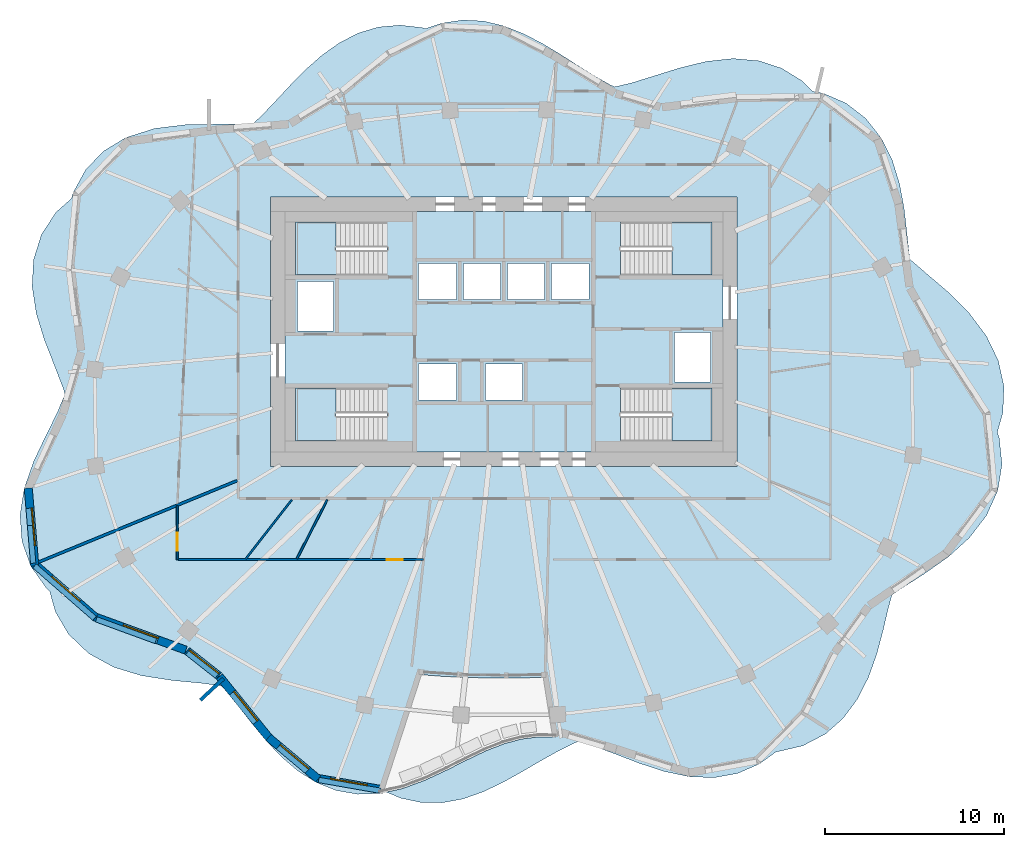
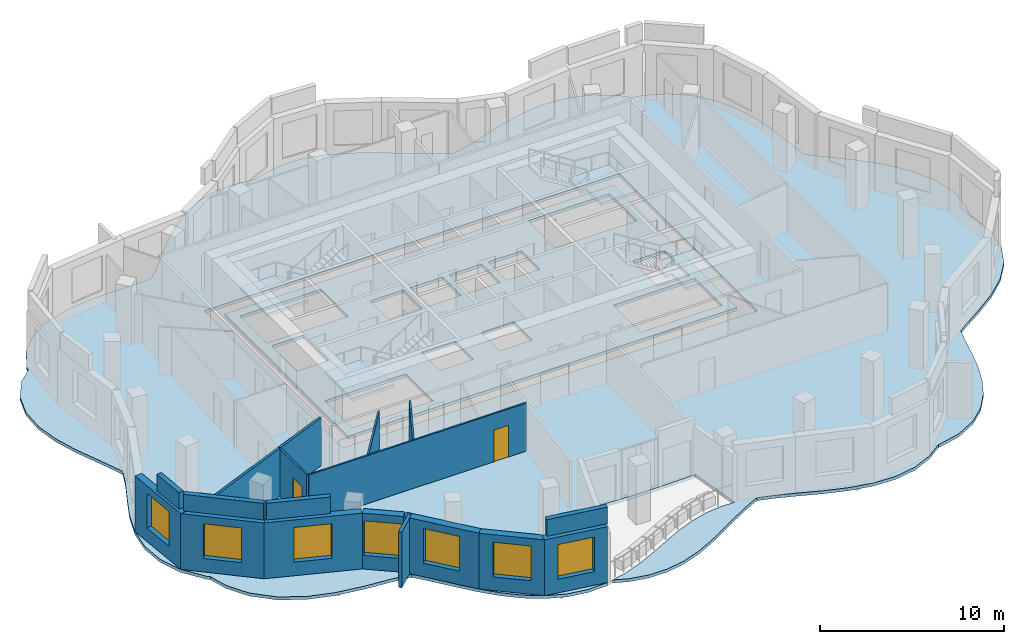
# One storey, part 4 of 12: 17 walls, 7 windows, 6 slabs, 2 doors, 9 openings, 4 elements without a shape of their own.
"""IFC4 building model written with IfcOpenShell, lengths in metres."""

from ifc_helpers import new_model, si_unit, direction, frame, frame_2d, origin, place, context, subcontext, project, spatial, polyline, rectangle, outline, extrude, material, layer, layer_set, type_object, element, fill, aggregate, save


model = new_model("IFC4")

# Units and contexts
model_context = context("Model", 3, precision=1e-05, world=origin(), true_north=direction((0.0, 1.0)))
body_context = subcontext(model_context, "Body", "Model", "MODEL_VIEW")
ifc_project = project(units=[si_unit("LENGTHUNIT", "METRE"), si_unit("AREAUNIT", "SQUARE_METRE"), si_unit("VOLUMEUNIT", "CUBIC_METRE"), si_unit("PLANEANGLEUNIT", "RADIAN"), si_unit("MASSUNIT", "GRAM", prefix="KILO")], contexts=[model_context])

# Site, building, storey
site_placement = place(None, origin())
site = spatial("IfcSite", under=ifc_project, at=site_placement, CompositionType="ELEMENT")
building_placement = place(site_placement, origin())
building = spatial("IfcBuilding", under=site, at=building_placement, Name="Rubra Terraces Tower", CompositionType="ELEMENT")
storey_placement = place(building_placement, frame((0.0, 0.0, 276.60009765625)))
storey = spatial("IfcBuildingStorey", under=building, at=storey_placement, Name="L68", CompositionType="ELEMENT", Elevation=276.60009765625)

# Slab
ifc_material_1 = material(Name="Concrete C40", Category="concrete")
ifc_layer_1 = layer(ifc_material_1, 0.199951171875)
ifc_layer_set_1 = layer_set([ifc_layer_1], Name="Concrete C40")
slab_type_1 = type_object("IfcSlabType", Name="Core floor slab 200 concrete", PredefinedType="FLOOR", material=ifc_layer_set_1)
slab_1_placement = place(storey_placement, frame((0.0, 0.0, -0.2001953125)))
element("IfcSlab", 1, at=slab_1_placement, inside=storey, type_object=slab_type_1, Name="CORE FLOOR SLAB L68", PredefinedType="FLOOR", context=body_context, shape_type="SweptSolid", body=[
    extrude(outline(polyline([(-12.199951171875, -2.199951171875), (-12.199951171875, 11.199951171875), (12.199951171875, 11.199951171875), (12.199951171875, -2.199951171875), (-12.199951171875, -2.199951171875)]), holes=[polyline([(11.597900390625, 1.347900390625), (6.501953125, 1.347900390625), (6.501953125, -1.597900390625), (11.597900390625, -1.597900390625), (11.597900390625, 1.347900390625)]), polyline([(11.597900390625, 7.652099609375), (11.597900390625, 10.597900390625), (6.501953125, 10.597900390625), (6.501953125, 7.652099609375), (11.597900390625, 7.652099609375)]), polyline([(9.5, 1.699951171875), (11.5, 1.699951171875), (11.5, 4.449951171875), (9.5, 4.449951171875), (9.5, 1.699951171875)]), polyline([(4.75, 6.300048828125), (4.75, 8.300048828125), (2.64990234375, 8.300048828125), (2.64990234375, 6.300048828125), (4.75, 6.300048828125)]), polyline([(2.25, 8.300048828125), (0.199951171875, 8.300048828125), (0.199951171875, 6.300048828125), (2.25, 6.300048828125), (2.25, 8.300048828125)]), polyline([(1.02490234375, 0.699951171875), (1.02490234375, 2.699951171875), (-1.02490234375, 2.699951171875), (-1.02490234375, 0.699951171875), (1.02490234375, 0.699951171875)]), polyline([(-0.199951171875, 6.300048828125), (-0.199951171875, 8.300048828125), (-2.25, 8.300048828125), (-2.25, 6.300048828125), (-0.199951171875, 6.300048828125)]), polyline([(-4.75, 8.300048828125), (-4.75, 6.300048828125), (-2.64990234375, 6.300048828125), (-2.64990234375, 8.300048828125), (-4.75, 8.300048828125)]), polyline([(-2.64990234375, 0.699951171875), (-2.64990234375, 2.699951171875), (-4.75, 2.699951171875), (-4.75, 0.699951171875), (-2.64990234375, 0.699951171875)]), polyline([(-11.597900390625, -1.597900390625), (-6.501953125, -1.597900390625), (-6.501953125, 1.347900390625), (-11.597900390625, 1.347900390625), (-11.597900390625, -1.597900390625)]), polyline([(-11.597900390625, 10.597900390625), (-11.597900390625, 7.652099609375), (-6.501953125, 7.652099609375), (-6.501953125, 10.597900390625), (-11.597900390625, 10.597900390625)]), polyline([(-9.5, 4.550048828125), (-9.5, 7.300048828125), (-11.5, 7.300048828125), (-11.5, 4.550048828125), (-9.5, 4.550048828125)])]), origin(), (0.0, 0.0, 1.0), 0.2001953125),
])

# Stair, slab
stair_type = type_object("IfcStairType", Name="Core stair 1400", PredefinedType="HALF_TURN_STAIR", material=ifc_material_1)
stair_1_placement = place(storey_placement, origin())
stair_1 = element("IfcStair", 2, at=stair_1_placement, inside=storey, type_object=stair_type, Name="L68 Exit stair S1", PredefinedType="HALF_TURN_STAIR")
ifc_layer_2 = layer(ifc_material_1, 0.199951171875)
ifc_layer_set_2 = layer_set([ifc_layer_2], Name="Concrete C40")
slab_type_2 = type_object("IfcSlabType", Name="Core stair landing 200", PredefinedType="LANDING", material=ifc_layer_set_2)
slab_2_placement = place(storey_placement, frame((0.0, 0.0, 1.75)))
slab_2 = element("IfcSlab", 3, at=slab_2_placement, type_object=slab_type_2, Name="S1 landing 1", PredefinedType="LANDING", context=body_context, shape_type="SweptSolid", body=[
    extrude(outline(polyline([(-8.97998046875, -0.199951171875), (-8.97998046875, -1.60009765625), (-9.360107421875, -1.60009765625), (-9.3798828125, -1.60009765625), (-11.60009765625, -1.60009765625), (-11.60009765625, 1.35009765625), (-9.3798828125, 1.35009765625), (-9.35791015625, 1.35009765625), (-9.35791015625, -0.050048828125), (-9.360107421875, -0.050048828125), (-9.360107421875, -0.199951171875), (-8.97998046875, -0.199951171875)])), origin(), (0.0, 0.0, 1.0), 0.199951171875),
])
aggregate(stair_1, [slab_2])

stair_2_placement = place(storey_placement, origin())
stair_2 = element("IfcStair", 4, at=stair_2_placement, inside=storey, type_object=stair_type, Name="L68 Exit stair S2", PredefinedType="HALF_TURN_STAIR")
slab_3_placement = place(storey_placement, frame((0.0, 0.0, 1.75)))
slab_3 = element("IfcSlab", 5, at=slab_3_placement, type_object=slab_type_2, Name="S2 landing 1", PredefinedType="LANDING", context=body_context, shape_type="SweptSolid", body=[
    extrude(outline(polyline([(-8.97998046875, 9.050048828125), (-8.97998046875, 7.64990234375), (-9.3798828125, 7.64990234375), (-11.60009765625, 7.64990234375), (-11.60009765625, 10.60009765625), (-9.3798828125, 10.60009765625), (-9.360107421875, 10.60009765625), (-9.35791015625, 10.60009765625), (-9.35791015625, 9.199951171875), (-9.360107421875, 9.199951171875), (-9.360107421875, 9.050048828125), (-8.97998046875, 9.050048828125)])), origin(), (0.0, 0.0, 1.0), 0.199951171875),
])
aggregate(stair_2, [slab_3])

stair_3_placement = place(storey_placement, origin())
stair_3 = element("IfcStair", 6, at=stair_3_placement, inside=storey, type_object=stair_type, Name="L68 Exit stair S3", PredefinedType="HALF_TURN_STAIR")
slab_4_placement = place(storey_placement, frame((0.0, 0.0, 1.75)))
slab_4 = element("IfcSlab", 7, at=slab_4_placement, type_object=slab_type_2, Name="S3 landing 1", PredefinedType="LANDING", context=body_context, shape_type="SweptSolid", body=[
    extrude(outline(polyline([(9.360107421875, 9.050048828125), (9.360107421875, 9.199951171875), (8.97998046875, 9.199951171875), (8.97998046875, 10.60009765625), (9.360107421875, 10.60009765625), (9.3798828125, 10.60009765625), (11.60009765625, 10.60009765625), (11.60009765625, 7.64990234375), (9.3798828125, 7.64990234375), (9.35791015625, 7.64990234375), (9.35791015625, 9.050048828125), (9.360107421875, 9.050048828125)])), origin(), (0.0, 0.0, 1.0), 0.199951171875),
])
aggregate(stair_3, [slab_4])

stair_4_placement = place(storey_placement, origin())
stair_4 = element("IfcStair", 8, at=stair_4_placement, inside=storey, type_object=stair_type, Name="L68 Exit stair S4", PredefinedType="HALF_TURN_STAIR")
slab_5_placement = place(storey_placement, frame((0.0, 0.0, 1.75)))
slab_5 = element("IfcSlab", 9, at=slab_5_placement, type_object=slab_type_2, Name="S4 landing 1", PredefinedType="LANDING", context=body_context, shape_type="SweptSolid", body=[
    extrude(outline(polyline([(9.360107421875, -0.199951171875), (9.360107421875, -0.050048828125), (8.97998046875, -0.050048828125), (8.97998046875, 1.35009765625), (9.360107421875, 1.35009765625), (9.3798828125, 1.35009765625), (11.60009765625, 1.35009765625), (11.60009765625, -1.60009765625), (9.3798828125, -1.60009765625), (9.360107421875, -1.60009765625), (9.35791015625, -1.60009765625), (9.35791015625, -0.199951171875), (9.360107421875, -0.199951171875)])), origin(), (0.0, 0.0, 1.0), 0.199951171875),
])
aggregate(stair_4, [slab_5])

# Slab
ifc_layer_3 = layer(ifc_material_1, 0.199951171875)
ifc_layer_set_3 = layer_set([ifc_layer_3], Name="Concrete C40")
slab_type_3 = type_object("IfcSlabType", Name="FLOOR SLAB 200 COMPOSITE", PredefinedType="FLOOR", material=ifc_layer_set_3)
slab_6_placement = place(storey_placement, frame((0.0, 0.0, -0.2001953125)))
element("IfcSlab", 10, at=slab_6_placement, inside=storey, type_object=slab_type_3, Name="FLOOR SLAB L68", PredefinedType="FLOOR", context=body_context, shape_type="SweptSolid", body=[
    extrude(outline(polyline([(1.013916015625, -20.02294921875), (2.012939453125, -19.44091796875), (2.991943359375, -18.889892578125), (3.931884765625, -18.422119140625), (4.139892578125, -18.340087890625), (5.048095703125, -18.60888671875), (6.18310546875, -19.029052734375), (7.535888671875, -19.549072265625), (8.930908203125, -20.007080078125), (10.344970703125, -20.302978515625), (11.705078125, -20.35302734375), (13.013916015625, -20.12109375), (14.23388671875, -19.591064453125), (15.176025390625, -18.909912109375), (15.242919921875, -18.908935546875), (16.65087890625, -18.5810546875), (17.919921875, -17.919921875), (18.89697265625, -17.056884765625), (19.697021484375, -15.98193359375), (20.31689453125, -14.761962890625), (20.782958984375, -13.4541015625), (21.1298828125, -12.15087890625), (21.419921875, -10.9140625), (21.6201171875, -10.18310546875), (22.091064453125, -9.84912109375), (23.404052734375, -9.012939453125), (24.77099609375, -8.048095703125), (25.94091796875, -6.986083984375), (26.89306640625, -5.7451171875), (27.52001953125, -4.35888671875), (27.758056640625, -2.89501953125), (27.60400390625, -1.422119140625), (27.49609375, -1.10595703125), (27.806884765625, 0.0), (27.867919921875, 1.43408203125), (27.554931640625, 2.8779296875), (26.887939453125, 4.259033203125), (25.9169921875, 5.549072265625), (24.782958984375, 6.68310546875), (23.623046875, 7.676025390625), (22.625, 8.532958984375), (22.610107421875, 8.616943359375), (22.466064453125, 9.93701171875), (22.302978515625, 11.364013671875), (22.053955078125, 12.718994140625), (21.64404296875, 14.050048828125), (21.032958984375, 15.281982421875), (20.157958984375, 16.39111328125), (19.06201171875, 17.238037109375), (17.787109375, 17.787109375), (17.217041015625, 17.885009765625), (16.589111328125, 18.493896484375), (15.471923828125, 19.18310546875), (14.23388671875, 19.592041015625), (12.77490234375, 19.721923828125), (11.27392578125, 19.56005859375), (9.780029296875, 19.194091796875), (8.426025390625, 18.77001953125), (7.123046875, 18.365966796875), (6.173095703125, 18.14208984375), (5.930908203125, 18.2529296875), (5.02587890625, 18.76611328125), (4.10400390625, 19.344970703125), (3.159912109375, 19.948974609375), (2.1240234375, 20.571044921875), (1.06689453125, 21.115966796875), (0.0, 21.537109375), (-1.136962890625, 21.80908203125), (-2.2880859375, 21.867919921875), (-3.43701171875, 21.697998046875), (-4.367919921875, 21.385009765625), (-4.552978515625, 21.43994140625), (-5.77294921875, 21.5830078125), (-6.97900390625, 21.47900390625), (-8.0849609375, 21.14990234375), (-9.14306640625, 20.613037109375), (-10.14208984375, 19.905029296875), (-11.032958984375, 19.117919921875), (-11.868896484375, 18.27294921875), (-12.658935546875, 17.424072265625), (-13.486083984375, 16.553955078125), (-13.9580078125, 16.114013671875), (-14.5869140625, 16.06494140625), (-16.06103515625, 16.06103515625), (-17.7470703125, 16.032958984375), (-19.4560546875, 15.825927734375), (-21.076904296875, 15.31298828125), (-22.318115234375, 14.55810546875), (-23.31494140625, 13.51611328125), (-24.011962890625, 12.235107421875), (-24.094970703125, 11.927001953125), (-24.9599609375, 11.156005859375), (-25.76708984375, 9.925048828125), (-26.2109375, 8.51611328125), (-26.291015625, 7.01806640625), (-26.06005859375, 5.510009765625), (-25.614990234375, 4.056884765625), (-25.05908203125, 2.64111328125), (-24.544921875, 1.305908203125), (-24.466064453125, 1.011962890625), (-24.883056640625, 0.0), (-25.550048828125, -1.343017578125), (-26.214111328125, -2.748046875), (-26.72998046875, -4.23388671875), (-26.966064453125, -5.718017578125), (-26.85693359375, -7.18896484375), (-26.367919921875, -8.56689453125), (-25.468017578125, -9.8359375), (-25.31591796875, -9.965087890625), (-24.98291015625, -11.135986328125), (-24.260986328125, -12.362060546875), (-23.134033203125, -13.43896484375), (-21.739013671875, -14.201904296875), (-20.19189453125, -14.669921875), (-18.468994140625, -14.93701171875), (-16.818115234375, -15.093994140625), (-15.75390625, -15.242919921875), (-15.506103515625, -15.506103515625), (-14.794921875, -16.381103515625), (-14.05908203125, -17.320068359375), (-13.27392578125, -18.27001953125), (-12.424072265625, -19.1708984375), (-11.498046875, -19.965087890625), (-10.498046875, -20.60302734375), (-9.344970703125, -21.069091796875), (-8.137939453125, -21.279052734375), (-6.89892578125, -21.23291015625), (-4.7451171875, -14.60400390625), (-3.54296875, -14.700927734375), (-2.337890625, -14.762939453125), (-1.1689453125, -14.79296875), (0.0, -14.800048828125), (1.1689453125, -14.79296875), (2.337890625, -14.762939453125), (2.866943359375, -18.10009765625), (1.9169921875, -18.080078125), (0.964111328125, -18.202880859375), (0.0, -18.462890625), (-1.0390625, -18.873046875), (-2.0859375, -19.3740234375), (-3.154052734375, -19.912109375), (-4.3798828125, -20.487060546875), (-5.633056640625, -20.951904296875), (-6.56201171875, -21.157958984375), (-5.73291015625, -21.5), (-4.596923828125, -21.739990234375), (-3.445068359375, -21.751953125), (-2.281005859375, -21.5400390625), (-1.131103515625, -21.134033203125), (0.0, -20.5869140625), (1.013916015625, -20.02294921875)]), holes=[polyline([(13.0, 12.0), (13.0, -3.0), (-13.0, -3.0), (-13.0, 12.0), (13.0, 12.0)])]), origin(), (0.0, 0.0, 1.0), 0.2001953125),
])

# Wall, opening, window
ifc_material_2 = material(Name="Brick masonry red-brown", Category="masonry")
ifc_layer_4 = layer(ifc_material_2, 0.449951171875)
ifc_layer_set_4 = layer_set([ifc_layer_4], Name="Brick masonry red-brown")
wall_type_1 = type_object("IfcWallType", Name="Brick facade wall 450", PredefinedType="SOLIDWALL", material=ifc_layer_set_4)
wall_1_placement = place(storey_placement, frame((-26.505859375, -4.21533203125, 0.0), z_axis=(0.0, 0.0, 1.0), x_axis=(0.083268523648, -0.996527146128, 0.0)))
wall_1 = element("IfcWall", 11, at=wall_1_placement, inside=storey, type_object=wall_type_1, Name="Facade wall L68 bay 22", PredefinedType="SOLIDWALL", context=body_context, shape_type="SweptSolid", body=[
    extrude(rectangle(XDim=4.34814453125, YDim=0.449951171875, at=frame_2d((2.174072265625, 0.0))), origin(), (0.0, 0.0, 1.0), 3.699951171875),
])
opening_1_placement = place(wall_1_placement, frame((1.1240234375, 0.0, 0.89990234375)))
opening_1 = element("IfcOpeningElement", 12, at=opening_1_placement, cuts=wall_1, Name="Opening W1B", PredefinedType="OPENING", context=body_context, shape_type="SweptSolid", body=[
    extrude(rectangle(XDim=2.10009765625, YDim=2.300048828125, at=frame_2d((1.050048828125, 1.14990234375))), frame((0.0, 0.23486328125, 0.0), z_axis=(0.0, -1.0, 0.0), x_axis=(1.0, 0.0, 0.0)), (0.0, 0.0, 1.0), 0.469970703125),
])
ifc_material_3 = material(Name="Clear glass in aluminium frame", Category="aluminium")
window_type = type_object("IfcWindowType", Name="Fixed deep-set window tall storey 2100 x 2300", PartitioningType="SINGLE_PANEL", PredefinedType="WINDOW", material=ifc_material_3)
window_1_placement = place(opening_1_placement, origin())
window_1 = element("IfcWindow", 13, at=window_1_placement, inside=storey, type_object=window_type, Name="Window L68 bay 22", OverallHeight=2.300048828125, OverallWidth=2.10009765625, PartitioningType="SINGLE_PANEL", PredefinedType="WINDOW", context=body_context, shape_type="SweptSolid", body=[
    extrude(rectangle(XDim=2.10009765625, YDim=2.300048828125, at=frame_2d((1.050048828125, 1.14990234375))), frame((0.0, 0.135009765625, 0.0), z_axis=(0.0, -1.0, 0.0), x_axis=(1.0, 0.0, 0.0)), (0.0, 0.0, 1.0), 0.06005859375),
])
fill(opening_1, window_1)

wall_2_placement = place(storey_placement, frame((-26.219970703125, -8.3974609375, 0.0), z_axis=(0.0, 0.0, 1.0), x_axis=(0.753386948361, -0.657577452502, 0.0)))
wall_2 = element("IfcWall", 14, at=wall_2_placement, inside=storey, type_object=wall_type_1, Name="Facade wall L68 bay 23", PredefinedType="SOLIDWALL", context=body_context, shape_type="SweptSolid", body=[
    extrude(rectangle(XDim=4.607177734375, YDim=0.449951171875, at=frame_2d((2.3037109375, 0.0))), origin(), (0.0, 0.0, 1.0), 3.699951171875),
])
opening_2_placement = place(wall_2_placement, frame((1.253662109375, 0.0, 0.89990234375)))
opening_2 = element("IfcOpeningElement", 15, at=opening_2_placement, cuts=wall_2, Name="Opening W1B", PredefinedType="OPENING", context=body_context, shape_type="SweptSolid", body=[
    extrude(rectangle(XDim=2.10009765625, YDim=2.300048828125, at=frame_2d((1.050048828125, 1.14990234375))), frame((0.0, 0.23486328125, 0.0), z_axis=(0.0, -1.0, 0.0), x_axis=(1.0, 0.0, 0.0)), (0.0, 0.0, 1.0), 0.469970703125),
])
window_2_placement = place(opening_2_placement, origin())
window_2 = element("IfcWindow", 16, at=window_2_placement, inside=storey, type_object=window_type, Name="Window L68 bay 23", OverallHeight=2.300048828125, OverallWidth=2.10009765625, PartitioningType="SINGLE_PANEL", PredefinedType="WINDOW", context=body_context, shape_type="SweptSolid", body=[
    extrude(rectangle(XDim=2.10009765625, YDim=2.300048828125, at=frame_2d((1.050048828125, 1.14990234375))), frame((0.0, 0.135009765625, 0.0), z_axis=(0.0, -1.0, 0.0), x_axis=(1.0, 0.0, 0.0)), (0.0, 0.0, 1.0), 0.06005859375),
])
fill(opening_2, window_2)

wall_3_placement = place(storey_placement, frame((-22.81982421875, -11.38525390625, 0.0), z_axis=(0.0, 0.0, 1.0), x_axis=(0.939252372986, -0.343227300546, 0.0)))
wall_3 = element("IfcWall", 17, at=wall_3_placement, inside=storey, type_object=wall_type_1, Name="Facade wall L68 bay 24", PredefinedType="SOLIDWALL", context=body_context, shape_type="SweptSolid", body=[
    extrude(rectangle(XDim=5.426513671875, YDim=0.449951171875, at=frame_2d((2.71337890625, 0.0))), origin(), (0.0, 0.0, 1.0), 3.699951171875),
])
opening_3_placement = place(wall_3_placement, frame((1.663330078125, 0.0, 0.89990234375)))
opening_3 = element("IfcOpeningElement", 18, at=opening_3_placement, cuts=wall_3, Name="Opening W1B", PredefinedType="OPENING", context=body_context, shape_type="SweptSolid", body=[
    extrude(rectangle(XDim=2.10009765625, YDim=2.300048828125, at=frame_2d((1.050048828125, 1.14990234375))), frame((0.0, 0.23486328125, 0.0), z_axis=(0.0, -1.0, 0.0), x_axis=(1.0, 0.0, 0.0)), (0.0, 0.0, 1.0), 0.469970703125),
])
window_3_placement = place(opening_3_placement, origin())
window_3 = element("IfcWindow", 19, at=window_3_placement, inside=storey, type_object=window_type, Name="Window L68 bay 24", OverallHeight=2.300048828125, OverallWidth=2.10009765625, PartitioningType="SINGLE_PANEL", PredefinedType="WINDOW", context=body_context, shape_type="SweptSolid", body=[
    extrude(rectangle(XDim=2.10009765625, YDim=2.300048828125, at=frame_2d((1.050048828125, 1.14990234375))), frame((0.0, 0.135009765625, 0.0), z_axis=(0.0, -1.0, 0.0), x_axis=(1.0, 0.0, 0.0)), (0.0, 0.0, 1.0), 0.06005859375),
])
fill(opening_3, window_3)

wall_4_placement = place(storey_placement, frame((-17.660888671875, -13.2822265625, 0.0), z_axis=(0.0, 0.0, 1.0), x_axis=(0.785466196165, -0.618904560237, 0.0)))
wall_4 = element("IfcWall", 20, at=wall_4_placement, inside=storey, type_object=wall_type_1, Name="Facade wall L68 bay 25", PredefinedType="SOLIDWALL", context=body_context, shape_type="SweptSolid", body=[
    extrude(rectangle(XDim=2.2587890625, YDim=0.449951171875, at=frame_2d((1.12939453125, 0.0))), origin(), (0.0, 0.0, 1.0), 3.699951171875),
])
opening_4_placement = place(wall_4_placement, frame((0.079345703125, 0.0, 0.89990234375)))
opening_4 = element("IfcOpeningElement", 21, at=opening_4_placement, cuts=wall_4, Name="Opening W1B", PredefinedType="OPENING", context=body_context, shape_type="SweptSolid", body=[
    extrude(rectangle(XDim=2.10009765625, YDim=2.300048828125, at=frame_2d((1.050048828125, 1.14990234375))), frame((0.0, 0.23486328125, 0.0), z_axis=(0.0, -1.0, 0.0), x_axis=(1.0, 0.0, 0.0)), (0.0, 0.0, 1.0), 0.469970703125),
])
window_4_placement = place(opening_4_placement, origin())
window_4 = element("IfcWindow", 22, at=window_4_placement, inside=storey, type_object=window_type, Name="Window L68 bay 25", OverallHeight=2.300048828125, OverallWidth=2.10009765625, PartitioningType="SINGLE_PANEL", PredefinedType="WINDOW", context=body_context, shape_type="SweptSolid", body=[
    extrude(rectangle(XDim=2.10009765625, YDim=2.300048828125, at=frame_2d((1.050048828125, 1.14990234375))), frame((0.0, 0.135009765625, 0.0), z_axis=(0.0, -1.0, 0.0), x_axis=(1.0, 0.0, 0.0)), (0.0, 0.0, 1.0), 0.06005859375),
])
fill(opening_4, window_4)

wall_5_placement = place(storey_placement, frame((-15.850830078125, -14.71533203125, 0.0), z_axis=(0.0, 0.0, 1.0), x_axis=(0.628253185779, -0.778008955321, 0.0)))
wall_5 = element("IfcWall", 23, at=wall_5_placement, inside=storey, type_object=wall_type_1, Name="Facade wall L68 bay 26", PredefinedType="SOLIDWALL", context=body_context, shape_type="SweptSolid", body=[
    extrude(rectangle(XDim=4.401611328125, YDim=0.449951171875, at=frame_2d((2.20068359375, 0.0))), origin(), (0.0, 0.0, 1.0), 3.699951171875),
])
opening_5_placement = place(wall_5_placement, frame((1.15087890625, 0.0, 0.89990234375)))
opening_5 = element("IfcOpeningElement", 24, at=opening_5_placement, cuts=wall_5, Name="Opening W1B", PredefinedType="OPENING", context=body_context, shape_type="SweptSolid", body=[
    extrude(rectangle(XDim=2.10009765625, YDim=2.300048828125, at=frame_2d((1.050048828125, 1.14990234375))), frame((0.0, 0.23486328125, 0.0), z_axis=(0.0, -1.0, 0.0), x_axis=(1.0, 0.0, 0.0)), (0.0, 0.0, 1.0), 0.469970703125),
])
window_5_placement = place(opening_5_placement, origin())
window_5 = element("IfcWindow", 25, at=window_5_placement, inside=storey, type_object=window_type, Name="Window L68 bay 26", OverallHeight=2.300048828125, OverallWidth=2.10009765625, PartitioningType="SINGLE_PANEL", PredefinedType="WINDOW", context=body_context, shape_type="SweptSolid", body=[
    extrude(rectangle(XDim=2.10009765625, YDim=2.300048828125, at=frame_2d((1.050048828125, 1.14990234375))), frame((0.0, 0.135009765625, 0.0), z_axis=(0.0, -1.0, 0.0), x_axis=(1.0, 0.0, 0.0)), (0.0, 0.0, 1.0), 0.06005859375),
])
fill(opening_5, window_5)

wall_6_placement = place(storey_placement, frame((-13.11572265625, -18.109130859375, 0.0), z_axis=(0.0, 0.0, 1.0), x_axis=(0.765524906053, -0.64340626218, 0.0)))
wall_6 = element("IfcWall", 26, at=wall_6_placement, inside=storey, type_object=wall_type_1, Name="Facade wall L68 bay 27", PredefinedType="SOLIDWALL", context=body_context, shape_type="SweptSolid", body=[
    extrude(rectangle(XDim=3.608642578125, YDim=0.449951171875, at=frame_2d((1.80419921875, 0.0))), origin(), (0.0, 0.0, 1.0), 3.699951171875),
])
opening_6_placement = place(wall_6_placement, frame((0.754150390625, 0.0, 0.89990234375)))
opening_6 = element("IfcOpeningElement", 27, at=opening_6_placement, cuts=wall_6, Name="Opening W1B", PredefinedType="OPENING", context=body_context, shape_type="SweptSolid", body=[
    extrude(rectangle(XDim=2.10009765625, YDim=2.300048828125, at=frame_2d((1.050048828125, 1.14990234375))), frame((0.0, 0.23486328125, 0.0), z_axis=(0.0, -1.0, 0.0), x_axis=(1.0, 0.0, 0.0)), (0.0, 0.0, 1.0), 0.469970703125),
])
window_6_placement = place(opening_6_placement, origin())
window_6 = element("IfcWindow", 28, at=window_6_placement, inside=storey, type_object=window_type, Name="Window L68 bay 27", OverallHeight=2.300048828125, OverallWidth=2.10009765625, PartitioningType="SINGLE_PANEL", PredefinedType="WINDOW", context=body_context, shape_type="SweptSolid", body=[
    extrude(rectangle(XDim=2.10009765625, YDim=2.300048828125, at=frame_2d((1.050048828125, 1.14990234375))), frame((0.0, 0.135009765625, 0.0), z_axis=(0.0, -1.0, 0.0), x_axis=(1.0, 0.0, 0.0)), (0.0, 0.0, 1.0), 0.06005859375),
])
fill(opening_6, window_6)

wall_7_placement = place(storey_placement, frame((-10.459228515625, -20.38134765625, 0.0), z_axis=(0.0, 0.0, 1.0), x_axis=(0.985017416972, -0.172454887614, 0.0)))
wall_7 = element("IfcWall", 29, at=wall_7_placement, inside=storey, type_object=wall_type_1, Name="Facade wall L68 bay 28", PredefinedType="SOLIDWALL", context=body_context, shape_type="SweptSolid", body=[
    extrude(rectangle(XDim=3.65380859375, YDim=0.449951171875, at=frame_2d((1.826904296875, 0.0))), origin(), (0.0, 0.0, 1.0), 3.699951171875),
])
opening_7_placement = place(wall_7_placement, frame((0.77685546875, 0.0, 0.89990234375)))
opening_7 = element("IfcOpeningElement", 30, at=opening_7_placement, cuts=wall_7, Name="Opening W1B", PredefinedType="OPENING", context=body_context, shape_type="SweptSolid", body=[
    extrude(rectangle(XDim=2.10009765625, YDim=2.300048828125, at=frame_2d((1.050048828125, 1.14990234375))), frame((0.0, 0.23486328125, 0.0), z_axis=(0.0, -1.0, 0.0), x_axis=(1.0, 0.0, 0.0)), (0.0, 0.0, 1.0), 0.469970703125),
])
window_7_placement = place(opening_7_placement, origin())
window_7 = element("IfcWindow", 31, at=window_7_placement, inside=storey, type_object=window_type, Name="Window L68 bay 28", OverallHeight=2.300048828125, OverallWidth=2.10009765625, PartitioningType="SINGLE_PANEL", PredefinedType="WINDOW", context=body_context, shape_type="SweptSolid", body=[
    extrude(rectangle(XDim=2.10009765625, YDim=2.300048828125, at=frame_2d((1.050048828125, 1.14990234375))), frame((0.0, 0.135009765625, 0.0), z_axis=(0.0, -1.0, 0.0), x_axis=(1.0, 0.0, 0.0)), (0.0, 0.0, 1.0), 0.06005859375),
])
fill(opening_7, window_7)

# Walls
ifc_layer_5 = layer(ifc_material_2, 0.300048828125)
ifc_layer_set_5 = layer_set([ifc_layer_5], Name="Brick masonry red-brown")
wall_type_2 = type_object("IfcWallType", Name="Brick parapet 300", PredefinedType="PARAPET", material=ifc_layer_set_5)
wall_8_placement = place(storey_placement, frame((-26.4072265625, -6.296142578125, 3.89990234375), z_axis=(0.0, 0.0, 1.0), x_axis=(0.083236561351, -0.99652981634, 0.0)))
element("IfcWall", 32, at=wall_8_placement, inside=storey, type_object=wall_type_2, Name="Parapet L68 bay 22", PredefinedType="PARAPET", context=body_context, shape_type="SweptSolid", body=[
    extrude(rectangle(XDim=2.11474609375, YDim=0.300048828125, at=frame_2d((1.057373046875, 0.0))), origin(), (0.0, 0.0, 1.0), 1.10009765625),
])
wall_9_placement = place(storey_placement, frame((-26.1552734375, -8.5537109375, 3.89990234375), z_axis=(0.0, 0.0, 1.0), x_axis=(0.753400870431, -0.657561501636, 0.0)))
element("IfcWall", 33, at=wall_9_placement, inside=storey, type_object=wall_type_2, Name="Parapet L68 bay 23", PredefinedType="PARAPET", context=body_context, shape_type="SweptSolid", body=[
    extrude(rectangle(XDim=4.4375, YDim=0.300048828125, at=frame_2d((2.21875, 0.0))), origin(), (0.0, 0.0, 1.0), 1.10009765625),
])
wall_10_placement = place(storey_placement, frame((-22.714111328125, -11.529541015625, 3.89990234375), z_axis=(0.0, 0.0, 1.0), x_axis=(0.93926063174, -0.343204699361, 0.0)))
element("IfcWall", 34, at=wall_10_placement, inside=storey, type_object=wall_type_2, Name="Parapet L68 bay 24", PredefinedType="PARAPET", context=body_context, shape_type="SweptSolid", body=[
    extrude(rectangle(XDim=3.526123046875, YDim=0.300048828125, at=frame_2d((1.76318359375, 0.0))), origin(), (0.0, 0.0, 1.0), 1.10009765625),
])
wall_11_placement = place(storey_placement, frame((-10.322265625, -20.4814453125, 3.89990234375), z_axis=(0.0, 0.0, 1.0), x_axis=(0.985023363112, -0.17242092136, 0.0)))
element("IfcWall", 35, at=wall_11_placement, inside=storey, type_object=wall_type_2, Name="Parapet L68 bay 28", PredefinedType="PARAPET", context=body_context, shape_type="SweptSolid", body=[
    extrude(rectangle(XDim=3.501708984375, YDim=0.300048828125, at=frame_2d((1.7509765625, 0.0))), origin(), (0.0, 0.0, 1.0), 1.10009765625),
])
ifc_layer_6 = layer(ifc_material_2, 0.199951171875)
ifc_layer_set_6 = layer_set([ifc_layer_6], Name="Brick masonry red-brown")
wall_type_3 = type_object("IfcWallType", Name="Brick wind fin 200", PredefinedType="SOLIDWALL", material=ifc_layer_set_6)
wall_12_placement = place(storey_placement, frame((-15.632080078125, -14.837890625, 0.0), z_axis=(0.0, 0.0, 1.0), x_axis=(-0.73177399504, -0.681547371929, 0.0)))
element("IfcWall", 36, at=wall_12_placement, inside=storey, type_object=wall_type_3, Name="Wind fin L68 13", PredefinedType="SOLIDWALL", context=body_context, shape_type="SweptSolid", body=[
    extrude(rectangle(XDim=1.75, YDim=0.199951171875, at=frame_2d((0.875, 0.0))), origin(), (0.0, 0.0, 1.0), 3.699951171875),
])

# Wall, opening, door
ifc_material_4 = material(Name="Plasterboard on steel stud", Category="steel")
ifc_layer_7 = layer(ifc_material_4, 0.10009765625)
ifc_layer_set_7 = layer_set([ifc_layer_7], Name="Plasterboard on steel stud")
wall_type_4 = type_object("IfcWallType", Name="ROOM PARTITION 100", PredefinedType="PARTITIONING", material=ifc_layer_set_7)
wall_13_placement = place(storey_placement, frame((-18.199951171875, -8.199951171875, 0.0), z_axis=(0.0, 0.0, 1.0), x_axis=(0.0, 1.0, 0.0)))
wall_13 = element("IfcWall", 37, at=wall_13_placement, inside=storey, type_object=wall_type_4, Name="PARTITION", PredefinedType="PARTITIONING", context=body_context, shape_type="SweptSolid", body=[
    extrude(rectangle(XDim=3.007568359375, YDim=0.10009765625, at=frame_2d((1.50390625, 0.0))), origin(), (0.0, 0.0, 1.0), 3.183837890625),
])
opening_8_placement = place(wall_13_placement, frame((0.5, 0.0, 0.0)))
opening_8 = element("IfcOpeningElement", 38, at=opening_8_placement, cuts=wall_13, Name="Opening 68-109", PredefinedType="OPENING", context=body_context, shape_type="SweptSolid", body=[
    extrude(rectangle(XDim=1.0, YDim=2.10009765625, at=frame_2d((0.5, 1.050048828125))), frame((0.0, 0.06005859375, 0.0), z_axis=(0.0, -1.0, 0.0), x_axis=(1.0, 0.0, 0.0)), (0.0, 0.0, 1.0), 0.1201171875),
])
ifc_material_5 = material(Name="Painted timber door leaf", Category="wood")
door_type_1 = type_object("IfcDoorType", Name="ROOM DOOR 1000 X 2100", OperationType="SINGLE_SWING_LEFT", PredefinedType="DOOR", material=ifc_material_5)
door_1_placement = place(opening_8_placement, origin())
door_1 = element("IfcDoor", 39, at=door_1_placement, inside=storey, type_object=door_type_1, Name="DOOR 68-109", OperationType="SINGLE_SWING_RIGHT", OverallHeight=2.10009765625, OverallWidth=1.0, PredefinedType="DOOR", context=body_context, shape_type="SweptSolid", body=[
    extrude(rectangle(XDim=1.0, YDim=2.10009765625, at=frame_2d((0.5, 1.050048828125))), frame((0.0, 0.02490234375, 0.0), z_axis=(0.0, -1.0, 0.0), x_axis=(1.0, 0.0, 0.0)), (0.0, 0.0, 1.0), 0.050048828125),
])
fill(opening_8, door_1)

wall_14_placement = place(storey_placement, frame((-4.493896484375, -8.199951171875, 0.0), z_axis=(0.0, 0.0, 1.0), x_axis=(-1.0, 0.0, 0.0)))
wall_14 = element("IfcWall", 40, at=wall_14_placement, inside=storey, type_object=wall_type_4, Name="PARTITION", PredefinedType="PARTITIONING", context=body_context, shape_type="SweptSolid", body=[
    extrude(rectangle(XDim=13.656005859375, YDim=0.10009765625, at=frame_2d((6.828125, 0.0))), origin(), (0.0, 0.0, 1.0), 3.183837890625),
])
opening_9_placement = place(wall_14_placement, frame((1.131103515625, 0.0, 0.0)))
opening_9 = element("IfcOpeningElement", 41, at=opening_9_placement, cuts=wall_14, Name="Opening 68-112", PredefinedType="OPENING", context=body_context, shape_type="SweptSolid", body=[
    extrude(rectangle(XDim=0.89990234375, YDim=2.10009765625, at=frame_2d((0.449951171875, 1.050048828125))), frame((0.0, 0.06005859375, 0.0), z_axis=(0.0, -1.0, 0.0), x_axis=(1.0, 0.0, 0.0)), (0.0, 0.0, 1.0), 0.1201171875),
])
door_type_2 = type_object("IfcDoorType", Name="ROOM DOOR 900 X 2100", OperationType="SINGLE_SWING_LEFT", PredefinedType="DOOR", material=ifc_material_5)
door_2_placement = place(opening_9_placement, origin())
door_2 = element("IfcDoor", 42, at=door_2_placement, inside=storey, type_object=door_type_2, Name="DOOR 68-112", OperationType="SINGLE_SWING_LEFT", OverallHeight=2.10009765625, OverallWidth=0.89990234375, PredefinedType="DOOR", context=body_context, shape_type="SweptSolid", body=[
    extrude(rectangle(XDim=0.89990234375, YDim=2.10009765625, at=frame_2d((0.449951171875, 1.050048828125))), frame((0.0, 0.02490234375, 0.0), z_axis=(0.0, -1.0, 0.0), x_axis=(1.0, 0.0, 0.0)), (0.0, 0.0, 1.0), 0.050048828125),
])
fill(opening_9, door_2)

# Walls
wall_15_placement = place(storey_placement, frame((-11.81103515625, -4.859130859375, 0.0), z_axis=(0.0, 0.0, 1.0), x_axis=(-0.614997719786, -0.788528886382, 0.0)))
element("IfcWall", 43, at=wall_15_placement, inside=storey, type_object=wall_type_4, Name="PARTITION", PredefinedType="PARTITIONING", context=body_context, shape_type="SweptSolid", body=[
    extrude(rectangle(XDim=4.18701171875, YDim=0.10009765625, at=frame_2d((2.093505859375, 0.0))), origin(), (0.0, 0.0, 1.0), 3.183837890625),
])
wall_16_placement = place(storey_placement, frame((-9.848388671875, -4.86669921875, 0.0), z_axis=(0.0, 0.0, 1.0), x_axis=(-0.456148994618, -0.889903418754, 0.0)))
element("IfcWall", 44, at=wall_16_placement, inside=storey, type_object=wall_type_4, Name="PARTITION", PredefinedType="PARTITIONING", context=body_context, shape_type="SweptSolid", body=[
    extrude(rectangle(XDim=3.69580078125, YDim=0.10009765625, at=frame_2d((1.847900390625, 0.0))), origin(), (0.0, 0.0, 1.0), 3.183837890625),
])
ifc_layer_8 = layer(ifc_material_4, 0.14990234375)
ifc_layer_set_8 = layer_set([ifc_layer_8], Name="Plasterboard on steel stud")
wall_type_5 = type_object("IfcWallType", Name="ROOM PARTITION 150", PredefinedType="PARTITIONING", material=ifc_layer_set_8)
wall_17_placement = place(storey_placement, frame((-25.93115234375, -8.34375, 0.0), z_axis=(0.0, 0.0, 1.0), x_axis=(0.925120628031, 0.379673311665, 0.0)))
element("IfcWall", 45, at=wall_17_placement, inside=storey, type_object=wall_type_5, Name="PARTITION", PredefinedType="PARTITIONING", context=body_context, shape_type="SweptSolid", body=[
    extrude(rectangle(XDim=11.95703125, YDim=0.14990234375, at=frame_2d((5.978515625, 0.0))), origin(), (0.0, 0.0, 1.0), 3.183837890625),
])

save(model, "model.ifc")
